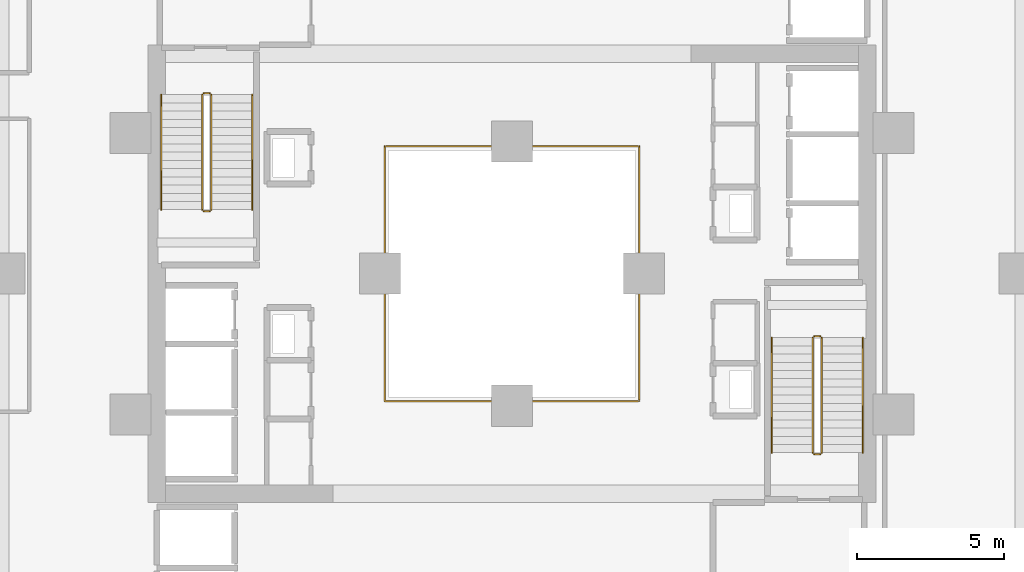
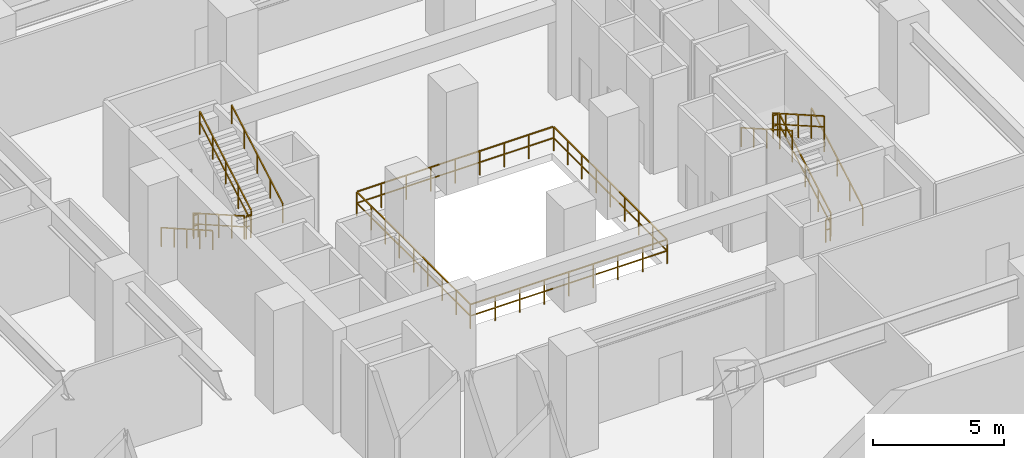
# One storey, part 22 of 22: 13 railings.
"""IFC4 building model written with IfcOpenShell, lengths in metres."""

import ifcopenshell
import ifcopenshell.guid

model = None  # the IFC model being written
_history = None  # IfcOwnerHistory: only IFC2X3 demands one
_inside = {}  # id of a spatial element -> (the spatial element, [elements in it])
_under = {}  # id of a project, library or spatial element -> (it, [spatial elements below it])
_declared = {}  # id of a project -> (the project, [libraries it declares])
_typed = {}  # id of a type object -> (the type object, [elements of that type])
_made_of = {}  # id of a material, layer set ... -> (it, [elements and type objects made of it])


def new_model(schema):
    """Start an empty IFC model of exactly this schema.

    Asked for "IFC4X3", IfcOpenShell would pick the latest addendum, in which some entities
    have other attributes; the version numbers below select the first issue.
    IFC2X3 requires an IfcOwnerHistory on every rooted entity: one is made here for all.
    """
    global model, _history
    if schema == "IFC4X3":
        model = ifcopenshell.file(schema_version=(4, 3, 0, 0))
    else:
        model = ifcopenshell.file(schema=schema)
    _inside.clear()
    _under.clear()
    _declared.clear()
    _typed.clear()
    _made_of.clear()
    _history = None
    if model.schema == "IFC2X3":
        org = make("IfcOrganization", Name="unknown")
        user = make(
            "IfcPersonAndOrganization",
            ThePerson=make("IfcPerson", FamilyName="unknown"),
            TheOrganization=org,
        )
        app = make(
            "IfcApplication",
            ApplicationDeveloper=org,
            Version="unknown",
            ApplicationFullName="unknown",
            ApplicationIdentifier="unknown",
        )
        _history = make(
            "IfcOwnerHistory",
            OwningUser=user,
            OwningApplication=app,
            ChangeAction="ADDED",
            CreationDate=0,
        )
    return model


def make(cls, **values):
    """One entity of the class cls with the attributes given. An attribute that is None is left unset."""
    return model.create_entity(
        cls, **{name: value for name, value in values.items() if value is not None}
    )


def rooted(cls, **values):
    """An entity with a GlobalId (a new one), such as an element, a storey or a relation."""
    return make(cls, GlobalId=ifcopenshell.guid.new(), OwnerHistory=_history, **values)


def si_unit(unit_type, name, prefix=None):
    """IfcSIUnit, for example si_unit("LENGTHUNIT", "METRE", prefix="MILLI")."""
    return make("IfcSIUnit", UnitType=unit_type, Prefix=prefix, Name=name)


def assignment(units):
    """IfcUnitAssignment: the units of a project."""
    return None if units is None else make("IfcUnitAssignment", Units=units)


def point(xyz):
    """IfcCartesianPoint."""
    return None if xyz is None else make("IfcCartesianPoint", Coordinates=xyz)


def direction(xyz):
    """IfcDirection."""
    return None if xyz is None else make("IfcDirection", DirectionRatios=xyz)


def frame(location, z_axis=None, x_axis=None):
    """IfcAxis2Placement3D, a coordinate frame: its origin and axes. An axis left out is left unset."""
    return make(
        "IfcAxis2Placement3D",
        Location=point(location),
        Axis=direction(z_axis),
        RefDirection=direction(x_axis),
    )


def frame_2d(location, x_axis=None):
    """IfcAxis2Placement2D, a coordinate frame in the plane: its origin and x axis."""
    return make(
        "IfcAxis2Placement2D", Location=point(location), RefDirection=direction(x_axis)
    )


def origin():
    """The frame at (0, 0, 0) with its axes left unset."""
    return frame((0.0, 0.0, 0.0))


def origin_2d():
    """The frame at (0, 0) in the plane with its x axis left unset."""
    return frame_2d((0.0, 0.0))


def place(relative_to, where):
    """IfcLocalPlacement: puts the frame where relative to a parent placement (None: the world)."""
    return make(
        "IfcLocalPlacement", PlacementRelTo=relative_to, RelativePlacement=where
    )


def context(
    kind, dimensions, precision=None, world=None, true_north=None, identifier=None
):
    """IfcGeometricRepresentationContext, for example the 3D "Model" context."""
    return make(
        "IfcGeometricRepresentationContext",
        ContextIdentifier=identifier,
        ContextType=kind,
        CoordinateSpaceDimension=dimensions,
        Precision=precision,
        WorldCoordinateSystem=world,
        TrueNorth=true_north,
    )


def subcontext(parent, identifier, kind, view, scale=None):
    """IfcGeometricRepresentationSubContext, for example "Body" below "Model"."""
    return make(
        "IfcGeometricRepresentationSubContext",
        ContextIdentifier=identifier,
        ContextType=kind,
        ParentContext=parent,
        TargetScale=scale,
        TargetView=view,
    )


def project(units=None, contexts=None):
    """IfcProject with its units and contexts."""
    return rooted(
        "IfcProject",
        Name="project",
        RepresentationContexts=contexts,
        UnitsInContext=assignment(units),
    )


def spatial(cls, under=None, at=None, **own):
    """A site, building, storey or space (cls), placed at a placement, below another one or the project."""
    s = rooted(cls, ObjectPlacement=at, **own)
    if under is not None:
        _under.setdefault(under.id(), (under, []))[1].append(s)
    return s


def profile(cls, at=None, kind="AREA", **sizes):
    """A parametric profile (cls). Its sizes go by their IFC names, for example OverallWidth=200.0."""
    return make(cls, ProfileType=kind, Position=at, **sizes)


def rectangle(**sizes):
    """IfcRectangleProfileDef."""
    return profile("IfcRectangleProfileDef", **sizes)


def extrude(swept, where, along, depth):
    """IfcExtrudedAreaSolid: the profile swept, set in the frame where, extruded along a direction by depth."""
    return make(
        "IfcExtrudedAreaSolid",
        SweptArea=swept,
        Position=where,
        ExtrudedDirection=direction(along),
        Depth=depth,
    )


def shape(context_of_items, identifier, shape_type, items):
    """IfcShapeRepresentation: the items that make up one representation, for example the "Body"."""
    return make(
        "IfcShapeRepresentation",
        ContextOfItems=context_of_items,
        RepresentationIdentifier=identifier,
        RepresentationType=shape_type,
        Items=items,
    )


def material(Name=None, Category=None):
    """IfcMaterial."""
    return make("IfcMaterial", Name=Name, Category=Category)


def made_of(thing, what):
    """Note that an element or type object is made of a material, layer set ...; save() writes the relation."""
    if what is not None:
        _made_of.setdefault(what.id(), (what, []))[1].append(thing)
    return thing


def type_object(cls, material=None, **own):
    """A type object (cls), such as IfcWallType, which elements share."""
    return made_of(rooted(cls, **own), material)


def element(
    cls,
    number,
    at=None,
    inside=None,
    cuts=None,
    type_object=None,
    material=None,
    context=None,
    identifier="Body",
    shape_type=None,
    held_by="IfcProductDefinitionShape",
    body=None,
    shapes=None,
    **own,
):
    """One element of the class cls, such as IfcWall. Its Tag is "e" and its number.

    at: its placement. inside: the storey or other place that contains it. cuts: it is an
    opening in that element (IfcRelVoidsElement). A single representation is given by context,
    identifier, shape_type and body (its items); several are given by shapes. held_by: the class
    of the entity that holds the representations. save() writes the other relations.
    """
    e = rooted(cls, Tag="e%d" % number, ObjectPlacement=at, **own)
    if body is not None:
        shapes = [shape(context, identifier, shape_type, body)]
    if shapes is not None:
        e.Representation = make(held_by, Representations=shapes)
    if inside is not None:
        _inside.setdefault(inside.id(), (inside, []))[1].append(e)
    if cuts is not None:
        rooted(
            "IfcRelVoidsElement", RelatingBuildingElement=cuts, RelatedOpeningElement=e
        )
    if type_object is not None:
        _typed.setdefault(type_object.id(), (type_object, []))[1].append(e)
    return made_of(e, material)


def aggregate(whole, parts):
    """IfcRelAggregates: a whole, such as a stair, and the parts it consists of."""
    return rooted("IfcRelAggregates", RelatingObject=whole, RelatedObjects=parts)


def save(model, path):
    """Write the relations noted so far, then the file.

    IfcRelAggregates (storeys below a building ...), IfcRelContainedInSpatialStructure (elements
    in a storey), IfcRelDefinesByType, IfcRelAssociatesMaterial and IfcRelDeclares: one each for
    every whole, place, type object, material and project.
    """
    for whole, parts in _under.values():
        aggregate(whole, parts)
    for where, things in _inside.values():
        rooted(
            "IfcRelContainedInSpatialStructure",
            RelatedElements=things,
            RelatingStructure=where,
        )
    for kind, things in _typed.values():
        rooted("IfcRelDefinesByType", RelatedObjects=things, RelatingType=kind)
    for what, things in _made_of.values():
        rooted("IfcRelAssociatesMaterial", RelatedObjects=things, RelatingMaterial=what)
    for by, libraries in _declared.values():
        rooted("IfcRelDeclares", RelatingContext=by, RelatedDefinitions=libraries)
    model.write(path)


model = new_model("IFC4")

# Units and contexts
model_context = context("Model", 3, precision=1e-05, world=origin(), true_north=direction((0.0, 1.0)))
body_context = subcontext(model_context, "Body", "Model", "MODEL_VIEW")
ifc_project = project(units=[si_unit("LENGTHUNIT", "METRE"), si_unit("AREAUNIT", "SQUARE_METRE"), si_unit("VOLUMEUNIT", "CUBIC_METRE"), si_unit("PLANEANGLEUNIT", "RADIAN"), si_unit("MASSUNIT", "GRAM", prefix="KILO")], contexts=[model_context])

# Site, building, storey
site_placement = place(None, origin())
site = spatial("IfcSite", under=ifc_project, at=site_placement, CompositionType="ELEMENT")
building_placement = place(site_placement, origin())
building = spatial("IfcBuilding", under=site, at=building_placement, Name="Thornwick Lancets Civic Towers", CompositionType="ELEMENT")
storey_placement = place(building_placement, frame((0.0, 0.0, 4.800048828125)))
storey = spatial("IfcBuildingStorey", under=building, at=storey_placement, Name="L01", CompositionType="ELEMENT", Elevation=4.800048828125)

# Railings
ifc_material_1 = material(Name="Laminated glass and bronze steel S355", Category="steel")
railing_type_1 = type_object("IfcRailingType", Name="RAIL_ATRIUM_GUARD", PredefinedType="BALUSTRADE", material=ifc_material_1)
railing_1_placement = place(storey_placement, frame((84.159912109375, 22.659912109375, 0.0)))
element("IfcRailing", 1, at=railing_1_placement, inside=storey, type_object=railing_type_1, Name="L01 Tower B Central Atrium Guard Balustrade", PredefinedType="BALUSTRADE", context=body_context, shape_type="SweptSolid", body=[
    extrude(rectangle(XDim=0.048095703125, YDim=0.048095703125, at=origin_2d()), frame((0.0, 0.0, 1.1259765625), z_axis=(1.0, 0.0, 0.0), x_axis=(0.0, 1.0, 0.0)), (0.0, 0.0, 1.0), 8.64892578125),
    extrude(rectangle(XDim=0.0419921875, YDim=0.0419921875, at=origin_2d()), frame((0.03759765625, 0.0, 0.597900390625), z_axis=(1.0, 0.0, 0.0), x_axis=(0.0, 1.0, 0.0)), (0.0, 0.0, 1.0), 1.010009765625),
    extrude(rectangle(XDim=0.0419921875, YDim=0.0419921875, at=origin_2d()), frame((1.12255859375, 0.0, 0.597900390625), z_axis=(1.0, 0.0, 0.0), x_axis=(0.0, 1.0, 0.0)), (0.0, 0.0, 1.0), 1.010009765625),
    extrude(rectangle(XDim=0.0419921875, YDim=0.0419921875, at=origin_2d()), frame((2.20751953125, 0.0, 0.597900390625), z_axis=(1.0, 0.0, 0.0), x_axis=(0.0, 1.0, 0.0)), (0.0, 0.0, 1.0), 1.010009765625),
    extrude(rectangle(XDim=0.0419921875, YDim=0.0419921875, at=origin_2d()), frame((3.29248046875, 0.0, 0.597900390625), z_axis=(1.0, 0.0, 0.0), x_axis=(0.0, 1.0, 0.0)), (0.0, 0.0, 1.0), 1.010009765625),
    extrude(rectangle(XDim=0.0419921875, YDim=0.0419921875, at=origin_2d()), frame((4.377685546875, 0.0, 0.597900390625), z_axis=(1.0, 0.0, 0.0), x_axis=(0.0, 1.0, 0.0)), (0.0, 0.0, 1.0), 1.010009765625),
    extrude(rectangle(XDim=0.0419921875, YDim=0.0419921875, at=origin_2d()), frame((5.462646484375, 0.0, 0.597900390625), z_axis=(1.0, 0.0, 0.0), x_axis=(0.0, 1.0, 0.0)), (0.0, 0.0, 1.0), 1.010009765625),
    extrude(rectangle(XDim=0.0419921875, YDim=0.0419921875, at=origin_2d()), frame((6.547607421875, 0.0, 0.597900390625), z_axis=(1.0, 0.0, 0.0), x_axis=(0.0, 1.0, 0.0)), (0.0, 0.0, 1.0), 1.010009765625),
    extrude(rectangle(XDim=0.0419921875, YDim=0.0419921875, at=origin_2d()), frame((7.632568359375, 0.0, 0.597900390625), z_axis=(1.0, 0.0, 0.0), x_axis=(0.0, 1.0, 0.0)), (0.0, 0.0, 1.0), 1.010009765625),
    extrude(rectangle(XDim=0.048095703125, YDim=0.048095703125, at=origin_2d()), frame((8.68017578125, 0.03125, 1.1259765625), z_axis=(0.0, 1.0, 0.0), x_axis=(-1.0, 0.0, 0.0)), (0.0, 0.0, 1.0), 8.61767578125),
    extrude(rectangle(XDim=0.0419921875, YDim=0.0419921875, at=origin_2d()), frame((8.68017578125, 0.03759765625, 0.597900390625), z_axis=(0.0, 1.0, 0.0), x_axis=(-1.0, 0.0, 0.0)), (0.0, 0.0, 1.0), 1.010009765625),
    extrude(rectangle(XDim=0.0419921875, YDim=0.0419921875, at=origin_2d()), frame((8.68017578125, 1.12255859375, 0.597900390625), z_axis=(0.0, 1.0, 0.0), x_axis=(-1.0, 0.0, 0.0)), (0.0, 0.0, 1.0), 1.010009765625),
    extrude(rectangle(XDim=0.0419921875, YDim=0.0419921875, at=origin_2d()), frame((8.68017578125, 2.20751953125, 0.597900390625), z_axis=(0.0, 1.0, 0.0), x_axis=(-1.0, 0.0, 0.0)), (0.0, 0.0, 1.0), 1.010009765625),
    extrude(rectangle(XDim=0.0419921875, YDim=0.0419921875, at=origin_2d()), frame((8.68017578125, 3.29248046875, 0.597900390625), z_axis=(0.0, 1.0, 0.0), x_axis=(-1.0, 0.0, 0.0)), (0.0, 0.0, 1.0), 1.010009765625),
    extrude(rectangle(XDim=0.0419921875, YDim=0.0419921875, at=origin_2d()), frame((8.68017578125, 4.377685546875, 0.597900390625), z_axis=(0.0, 1.0, 0.0), x_axis=(-1.0, 0.0, 0.0)), (0.0, 0.0, 1.0), 1.010009765625),
    extrude(rectangle(XDim=0.0419921875, YDim=0.0419921875, at=origin_2d()), frame((8.68017578125, 5.462646484375, 0.597900390625), z_axis=(0.0, 1.0, 0.0), x_axis=(-1.0, 0.0, 0.0)), (0.0, 0.0, 1.0), 1.010009765625),
    extrude(rectangle(XDim=0.0419921875, YDim=0.0419921875, at=origin_2d()), frame((8.68017578125, 6.547607421875, 0.597900390625), z_axis=(0.0, 1.0, 0.0), x_axis=(-1.0, 0.0, 0.0)), (0.0, 0.0, 1.0), 1.010009765625),
    extrude(rectangle(XDim=0.0419921875, YDim=0.0419921875, at=origin_2d()), frame((8.68017578125, 7.632568359375, 0.597900390625), z_axis=(0.0, 1.0, 0.0), x_axis=(-1.0, 0.0, 0.0)), (0.0, 0.0, 1.0), 1.010009765625),
    extrude(rectangle(XDim=0.048095703125, YDim=0.048095703125, at=origin_2d()), frame((8.64892578125, 8.68017578125, 1.1259765625), z_axis=(-1.0, 0.0, 0.0), x_axis=(0.0, -1.0, 0.0)), (0.0, 0.0, 1.0), 8.61767578125),
    extrude(rectangle(XDim=0.0419921875, YDim=0.0419921875, at=origin_2d()), frame((8.642578125, 8.68017578125, 0.597900390625), z_axis=(-1.0, 0.0, 0.0), x_axis=(0.0, -1.0, 0.0)), (0.0, 0.0, 1.0), 1.010009765625),
    extrude(rectangle(XDim=0.0419921875, YDim=0.0419921875, at=origin_2d()), frame((7.5576171875, 8.68017578125, 0.597900390625), z_axis=(-1.0, 0.0, 0.0), x_axis=(0.0, -1.0, 0.0)), (0.0, 0.0, 1.0), 1.010009765625),
    extrude(rectangle(XDim=0.0419921875, YDim=0.0419921875, at=origin_2d()), frame((6.47265625, 8.68017578125, 0.597900390625), z_axis=(-1.0, 0.0, 0.0), x_axis=(0.0, -1.0, 0.0)), (0.0, 0.0, 1.0), 1.010009765625),
    extrude(rectangle(XDim=0.0419921875, YDim=0.0419921875, at=origin_2d()), frame((5.3876953125, 8.68017578125, 0.597900390625), z_axis=(-1.0, 0.0, 0.0), x_axis=(0.0, -1.0, 0.0)), (0.0, 0.0, 1.0), 1.010009765625),
    extrude(rectangle(XDim=0.0419921875, YDim=0.0419921875, at=origin_2d()), frame((4.302490234375, 8.68017578125, 0.597900390625), z_axis=(-1.0, 0.0, 0.0), x_axis=(0.0, -1.0, 0.0)), (0.0, 0.0, 1.0), 1.010009765625),
    extrude(rectangle(XDim=0.0419921875, YDim=0.0419921875, at=origin_2d()), frame((3.217529296875, 8.68017578125, 0.597900390625), z_axis=(-1.0, 0.0, 0.0), x_axis=(0.0, -1.0, 0.0)), (0.0, 0.0, 1.0), 1.010009765625),
    extrude(rectangle(XDim=0.0419921875, YDim=0.0419921875, at=origin_2d()), frame((2.132568359375, 8.68017578125, 0.597900390625), z_axis=(-1.0, 0.0, 0.0), x_axis=(0.0, -1.0, 0.0)), (0.0, 0.0, 1.0), 1.010009765625),
    extrude(rectangle(XDim=0.0419921875, YDim=0.0419921875, at=origin_2d()), frame((1.047607421875, 8.68017578125, 0.597900390625), z_axis=(-1.0, 0.0, 0.0), x_axis=(0.0, -1.0, 0.0)), (0.0, 0.0, 1.0), 1.010009765625),
    extrude(rectangle(XDim=0.048095703125, YDim=0.048095703125, at=origin_2d()), frame((0.0, 8.64892578125, 1.1259765625), z_axis=(0.0, -1.0, 0.0), x_axis=(1.0, 0.0, 0.0)), (0.0, 0.0, 1.0), 8.64892578125),
    extrude(rectangle(XDim=0.0419921875, YDim=0.0419921875, at=origin_2d()), frame((0.0, 8.642578125, 0.597900390625), z_axis=(0.0, -1.0, 0.0), x_axis=(1.0, 0.0, 0.0)), (0.0, 0.0, 1.0), 1.010009765625),
    extrude(rectangle(XDim=0.0419921875, YDim=0.0419921875, at=origin_2d()), frame((0.0, 7.5576171875, 0.597900390625), z_axis=(0.0, -1.0, 0.0), x_axis=(1.0, 0.0, 0.0)), (0.0, 0.0, 1.0), 1.010009765625),
    extrude(rectangle(XDim=0.0419921875, YDim=0.0419921875, at=origin_2d()), frame((0.0, 6.47265625, 0.597900390625), z_axis=(0.0, -1.0, 0.0), x_axis=(1.0, 0.0, 0.0)), (0.0, 0.0, 1.0), 1.010009765625),
    extrude(rectangle(XDim=0.0419921875, YDim=0.0419921875, at=origin_2d()), frame((0.0, 5.3876953125, 0.597900390625), z_axis=(0.0, -1.0, 0.0), x_axis=(1.0, 0.0, 0.0)), (0.0, 0.0, 1.0), 1.010009765625),
    extrude(rectangle(XDim=0.0419921875, YDim=0.0419921875, at=origin_2d()), frame((0.0, 4.302490234375, 0.597900390625), z_axis=(0.0, -1.0, 0.0), x_axis=(1.0, 0.0, 0.0)), (0.0, 0.0, 1.0), 1.010009765625),
    extrude(rectangle(XDim=0.0419921875, YDim=0.0419921875, at=origin_2d()), frame((0.0, 3.217529296875, 0.597900390625), z_axis=(0.0, -1.0, 0.0), x_axis=(1.0, 0.0, 0.0)), (0.0, 0.0, 1.0), 1.010009765625),
    extrude(rectangle(XDim=0.0419921875, YDim=0.0419921875, at=origin_2d()), frame((0.0, 2.132568359375, 0.597900390625), z_axis=(0.0, -1.0, 0.0), x_axis=(1.0, 0.0, 0.0)), (0.0, 0.0, 1.0), 1.010009765625),
    extrude(rectangle(XDim=0.0419921875, YDim=0.0419921875, at=origin_2d()), frame((0.0, 1.047607421875, 0.597900390625), z_axis=(0.0, -1.0, 0.0), x_axis=(1.0, 0.0, 0.0)), (0.0, 0.0, 1.0), 1.010009765625),
    extrude(rectangle(XDim=0.0419921875, YDim=0.0419921875, at=origin_2d()), origin(), (0.0, 0.0, 1.0), 1.095703125),
    extrude(rectangle(XDim=0.0419921875, YDim=0.0419921875, at=origin_2d()), frame((1.0849609375, 0.0, 0.0)), (0.0, 0.0, 1.0), 1.095703125),
    extrude(rectangle(XDim=0.0419921875, YDim=0.0419921875, at=origin_2d()), frame((2.169921875, 0.0, 0.0)), (0.0, 0.0, 1.0), 1.095703125),
    extrude(rectangle(XDim=0.0419921875, YDim=0.0419921875, at=origin_2d()), frame((3.255126953125, 0.0, 0.0)), (0.0, 0.0, 1.0), 1.095703125),
    extrude(rectangle(XDim=0.0419921875, YDim=0.0419921875, at=origin_2d()), frame((4.340087890625, 0.0, 0.0)), (0.0, 0.0, 1.0), 1.095703125),
    extrude(rectangle(XDim=0.0419921875, YDim=0.0419921875, at=origin_2d()), frame((5.425048828125, 0.0, 0.0)), (0.0, 0.0, 1.0), 1.095703125),
    extrude(rectangle(XDim=0.0419921875, YDim=0.0419921875, at=origin_2d()), frame((6.51025390625, 0.0, 0.0)), (0.0, 0.0, 1.0), 1.095703125),
    extrude(rectangle(XDim=0.0419921875, YDim=0.0419921875, at=origin_2d()), frame((7.59521484375, 0.0, 0.0)), (0.0, 0.0, 1.0), 1.095703125),
    extrude(rectangle(XDim=0.0419921875, YDim=0.0419921875, at=origin_2d()), frame((8.68017578125, 0.0, 0.0)), (0.0, 0.0, 1.0), 1.095703125),
    extrude(rectangle(XDim=0.0419921875, YDim=0.0419921875, at=origin_2d()), frame((8.68017578125, 1.0849609375, 0.0)), (0.0, 0.0, 1.0), 1.095703125),
    extrude(rectangle(XDim=0.0419921875, YDim=0.0419921875, at=origin_2d()), frame((8.68017578125, 2.169921875, 0.0)), (0.0, 0.0, 1.0), 1.095703125),
    extrude(rectangle(XDim=0.0419921875, YDim=0.0419921875, at=origin_2d()), frame((8.68017578125, 3.255126953125, 0.0)), (0.0, 0.0, 1.0), 1.095703125),
    extrude(rectangle(XDim=0.0419921875, YDim=0.0419921875, at=origin_2d()), frame((8.68017578125, 4.340087890625, 0.0)), (0.0, 0.0, 1.0), 1.095703125),
    extrude(rectangle(XDim=0.0419921875, YDim=0.0419921875, at=origin_2d()), frame((8.68017578125, 5.425048828125, 0.0)), (0.0, 0.0, 1.0), 1.095703125),
    extrude(rectangle(XDim=0.0419921875, YDim=0.0419921875, at=origin_2d()), frame((8.68017578125, 6.51025390625, 0.0)), (0.0, 0.0, 1.0), 1.095703125),
    extrude(rectangle(XDim=0.0419921875, YDim=0.0419921875, at=origin_2d()), frame((8.68017578125, 7.59521484375, 0.0)), (0.0, 0.0, 1.0), 1.095703125),
    extrude(rectangle(XDim=0.0419921875, YDim=0.0419921875, at=origin_2d()), frame((8.68017578125, 8.68017578125, 0.0)), (0.0, 0.0, 1.0), 1.095703125),
    extrude(rectangle(XDim=0.0419921875, YDim=0.0419921875, at=origin_2d()), frame((7.59521484375, 8.68017578125, 0.0)), (0.0, 0.0, 1.0), 1.095703125),
    extrude(rectangle(XDim=0.0419921875, YDim=0.0419921875, at=origin_2d()), frame((6.51025390625, 8.68017578125, 0.0)), (0.0, 0.0, 1.0), 1.095703125),
    extrude(rectangle(XDim=0.0419921875, YDim=0.0419921875, at=origin_2d()), frame((5.425048828125, 8.68017578125, 0.0)), (0.0, 0.0, 1.0), 1.095703125),
    extrude(rectangle(XDim=0.0419921875, YDim=0.0419921875, at=origin_2d()), frame((4.340087890625, 8.68017578125, 0.0)), (0.0, 0.0, 1.0), 1.095703125),
    extrude(rectangle(XDim=0.0419921875, YDim=0.0419921875, at=origin_2d()), frame((3.255126953125, 8.68017578125, 0.0)), (0.0, 0.0, 1.0), 1.095703125),
    extrude(rectangle(XDim=0.0419921875, YDim=0.0419921875, at=origin_2d()), frame((2.169921875, 8.68017578125, 0.0)), (0.0, 0.0, 1.0), 1.095703125),
    extrude(rectangle(XDim=0.0419921875, YDim=0.0419921875, at=origin_2d()), frame((1.0849609375, 8.68017578125, 0.0)), (0.0, 0.0, 1.0), 1.095703125),
    extrude(rectangle(XDim=0.0419921875, YDim=0.0419921875, at=origin_2d()), frame((0.0, 8.68017578125, 0.0)), (0.0, 0.0, 1.0), 1.095703125),
    extrude(rectangle(XDim=0.0419921875, YDim=0.0419921875, at=origin_2d()), frame((0.0, 7.59521484375, 0.0)), (0.0, 0.0, 1.0), 1.095703125),
    extrude(rectangle(XDim=0.0419921875, YDim=0.0419921875, at=origin_2d()), frame((0.0, 6.51025390625, 0.0)), (0.0, 0.0, 1.0), 1.095703125),
    extrude(rectangle(XDim=0.0419921875, YDim=0.0419921875, at=origin_2d()), frame((0.0, 5.425048828125, 0.0)), (0.0, 0.0, 1.0), 1.095703125),
    extrude(rectangle(XDim=0.0419921875, YDim=0.0419921875, at=origin_2d()), frame((0.0, 4.340087890625, 0.0)), (0.0, 0.0, 1.0), 1.095703125),
    extrude(rectangle(XDim=0.0419921875, YDim=0.0419921875, at=origin_2d()), frame((0.0, 3.255126953125, 0.0)), (0.0, 0.0, 1.0), 1.095703125),
    extrude(rectangle(XDim=0.0419921875, YDim=0.0419921875, at=origin_2d()), frame((0.0, 2.169921875, 0.0)), (0.0, 0.0, 1.0), 1.095703125),
    extrude(rectangle(XDim=0.0419921875, YDim=0.0419921875, at=origin_2d()), frame((0.0, 1.0849609375, 0.0)), (0.0, 0.0, 1.0), 1.095703125),
])
ifc_material_2 = material(Name="Brushed stainless steel S355", Category="steel")
railing_type_2 = type_object("IfcRailingType", Name="RAIL_HANDRAIL", PredefinedType="HANDRAIL", material=ifc_material_2)
railing_2_placement = place(storey_placement, frame((100.449951171875, 20.89990234375, 0.159912109375)))
element("IfcRailing", 2, at=railing_2_placement, inside=storey, type_object=railing_type_2, Name="L01 ST-B1 stair handrail 1", PredefinedType="HANDRAIL", context=body_context, shape_type="SweptSolid", body=[
    extrude(rectangle(XDim=0.048095703125, YDim=0.048095703125, at=origin_2d()), frame((0.0, 0.0, 0.8857421875), z_axis=(0.0, 0.86825312469, 0.496121468458), x_axis=(-1.0, 0.0, 0.0)), (0.0, 0.0, 1.0), 4.514892578125),
    extrude(rectangle(XDim=0.0419921875, YDim=0.0419921875, at=origin_2d()), origin(), (0.0, 0.0, 1.0), 0.855712890625),
    extrude(rectangle(XDim=0.0419921875, YDim=0.0419921875, at=origin_2d()), frame((0.0, 0.97998046875, 0.56005859375)), (0.0, 0.0, 1.0), 0.855712890625),
    extrude(rectangle(XDim=0.0419921875, YDim=0.0419921875, at=origin_2d()), frame((0.0, 1.9599609375, 1.1201171875)), (0.0, 0.0, 1.0), 0.855712890625),
    extrude(rectangle(XDim=0.0419921875, YDim=0.0419921875, at=origin_2d()), frame((0.0, 2.940185546875, 1.679931640625)), (0.0, 0.0, 1.0), 0.855712890625),
    extrude(rectangle(XDim=0.0419921875, YDim=0.0419921875, at=origin_2d()), frame((0.0, 3.920166015625, 2.239990234375)), (0.0, 0.0, 1.0), 0.855712890625),
])
for number, where, name in (
    (3, (97.35009765625, 24.820068359375, 2.56005859375), "L01 ST-B1 stair handrail 2"),
    (4, (76.550048828125, 33.10009765625, 0.159912109375), "L01 ST-B2 stair handrail 1"),
):
    element("IfcRailing", number, at=place(storey_placement, frame(where)), inside=storey, type_object=railing_type_2, Name=name, PredefinedType="HANDRAIL", context=body_context, shape_type="SweptSolid", body=[
        extrude(rectangle(XDim=0.048095703125, YDim=0.048095703125, at=origin_2d()), frame((0.0, 0.0, 0.8857421875), z_axis=(0.0, -0.86825312469, 0.496121468458), x_axis=(1.0, 0.0, 0.0)), (0.0, 0.0, 1.0), 4.514892578125),
        extrude(rectangle(XDim=0.0419921875, YDim=0.0419921875, at=origin_2d()), origin(), (0.0, 0.0, 1.0), 0.855712890625),
        extrude(rectangle(XDim=0.0419921875, YDim=0.0419921875, at=origin_2d()), frame((0.0, -0.97998046875, 0.56005859375)), (0.0, 0.0, 1.0), 0.855712890625),
        extrude(rectangle(XDim=0.0419921875, YDim=0.0419921875, at=origin_2d()), frame((0.0, -1.9599609375, 1.1201171875)), (0.0, 0.0, 1.0), 0.855712890625),
        extrude(rectangle(XDim=0.0419921875, YDim=0.0419921875, at=origin_2d()), frame((0.0, -2.940185546875, 1.679931640625)), (0.0, 0.0, 1.0), 0.855712890625),
        extrude(rectangle(XDim=0.0419921875, YDim=0.0419921875, at=origin_2d()), frame((0.0, -3.920166015625, 2.239990234375)), (0.0, 0.0, 1.0), 0.855712890625),
    ])
railing_3_placement = place(storey_placement, frame((79.64990234375, 29.179931640625, 2.56005859375)))
element("IfcRailing", 5, at=railing_3_placement, inside=storey, type_object=railing_type_2, Name="L01 ST-B2 stair handrail 2", PredefinedType="HANDRAIL", context=body_context, shape_type="SweptSolid", body=[
    extrude(rectangle(XDim=0.048095703125, YDim=0.048095703125, at=origin_2d()), frame((0.0, 0.0, 0.8857421875), z_axis=(0.0, 0.86825312469, 0.496121468458), x_axis=(-1.0, 0.0, 0.0)), (0.0, 0.0, 1.0), 4.514892578125),
    extrude(rectangle(XDim=0.0419921875, YDim=0.0419921875, at=origin_2d()), origin(), (0.0, 0.0, 1.0), 0.855712890625),
    extrude(rectangle(XDim=0.0419921875, YDim=0.0419921875, at=origin_2d()), frame((0.0, 0.97998046875, 0.56005859375)), (0.0, 0.0, 1.0), 0.855712890625),
    extrude(rectangle(XDim=0.0419921875, YDim=0.0419921875, at=origin_2d()), frame((0.0, 1.9599609375, 1.1201171875)), (0.0, 0.0, 1.0), 0.855712890625),
    extrude(rectangle(XDim=0.0419921875, YDim=0.0419921875, at=origin_2d()), frame((0.0, 2.940185546875, 1.679931640625)), (0.0, 0.0, 1.0), 0.855712890625),
    extrude(rectangle(XDim=0.0419921875, YDim=0.0419921875, at=origin_2d()), frame((0.0, 3.920166015625, 2.239990234375)), (0.0, 0.0, 1.0), 0.855712890625),
])
ifc_material_3 = material(Name="Steel S355JR", Category="steel")
railing_type_3 = type_object("IfcRailingType", Name="RAIL_STAIR_GUARD", PredefinedType="GUARDRAIL", material=ifc_material_3)
railing_4_placement = place(storey_placement, frame((99.050048828125, 20.89990234375, 0.159912109375)))
element("IfcRailing", 6, at=railing_4_placement, inside=storey, type_object=railing_type_3, Name="L01 ST-B1 stair guard 1", PredefinedType="GUARDRAIL", context=body_context, shape_type="SweptSolid", body=[
    extrude(rectangle(XDim=0.048095703125, YDim=0.048095703125, at=origin_2d()), frame((0.0, 0.0, 1.076171875), z_axis=(0.0, 0.86825312469, 0.496121468458), x_axis=(-1.0, 0.0, 0.0)), (0.0, 0.0, 1.0), 4.514892578125),
    extrude(rectangle(XDim=0.0419921875, YDim=0.0419921875, at=origin_2d()), frame((0.0, 0.032470703125, 0.590576171875), z_axis=(0.0, 0.86825312469, 0.496121468458), x_axis=(-1.0, 0.0, 0.0)), (0.0, 0.0, 1.0), 1.0537109375),
    extrude(rectangle(XDim=0.0419921875, YDim=0.0419921875, at=origin_2d()), frame((0.0, 1.0126953125, 1.150634765625), z_axis=(0.0, 0.86825312469, 0.496121468458), x_axis=(-1.0, 0.0, 0.0)), (0.0, 0.0, 1.0), 1.0537109375),
    extrude(rectangle(XDim=0.0419921875, YDim=0.0419921875, at=origin_2d()), frame((0.0, 1.99267578125, 1.710693359375), z_axis=(0.0, 0.86825312469, 0.496121468458), x_axis=(-1.0, 0.0, 0.0)), (0.0, 0.0, 1.0), 1.0537109375),
    extrude(rectangle(XDim=0.0419921875, YDim=0.0419921875, at=origin_2d()), frame((0.0, 2.97265625, 2.270751953125), z_axis=(0.0, 0.86825312469, 0.496121468458), x_axis=(-1.0, 0.0, 0.0)), (0.0, 0.0, 1.0), 1.0537109375),
    extrude(rectangle(XDim=0.0419921875, YDim=0.0419921875, at=origin_2d()), origin(), (0.0, 0.0, 1.0), 1.0458984375),
    extrude(rectangle(XDim=0.0419921875, YDim=0.0419921875, at=origin_2d()), frame((0.0, 0.97998046875, 0.56005859375)), (0.0, 0.0, 1.0), 1.0458984375),
    extrude(rectangle(XDim=0.0419921875, YDim=0.0419921875, at=origin_2d()), frame((0.0, 1.9599609375, 1.1201171875)), (0.0, 0.0, 1.0), 1.0458984375),
    extrude(rectangle(XDim=0.0419921875, YDim=0.0419921875, at=origin_2d()), frame((0.0, 2.940185546875, 1.679931640625)), (0.0, 0.0, 1.0), 1.0458984375),
    extrude(rectangle(XDim=0.0419921875, YDim=0.0419921875, at=origin_2d()), frame((0.0, 3.920166015625, 2.239990234375)), (0.0, 0.0, 1.0), 1.0458984375),
])
railing_5_placement = place(storey_placement, frame((99.0, 24.8701171875, 2.39990234375)))
element("IfcRailing", 7, at=railing_5_placement, inside=storey, type_object=railing_type_3, Name="L01 ST-B1 stair guard 2", PredefinedType="GUARDRAIL", context=body_context, shape_type="SweptSolid", body=[
    extrude(rectangle(XDim=0.048095703125, YDim=0.048095703125, at=origin_2d()), frame((0.0, 0.0, 1.076171875), z_axis=(-1.0, 0.0, 0.0), x_axis=(0.0, -1.0, 0.0)), (0.0, 0.0, 1.0), 0.199951171875),
    extrude(rectangle(XDim=0.0419921875, YDim=0.0419921875, at=origin_2d()), frame((-0.03759765625, 0.0, 0.572021484375), z_axis=(-1.0, 0.0, 0.0), x_axis=(0.0, -1.0, 0.0)), (0.0, 0.0, 1.0), 0.125),
    extrude(rectangle(XDim=0.0419921875, YDim=0.0419921875, at=origin_2d()), origin(), (0.0, 0.0, 1.0), 1.0458984375),
    extrude(rectangle(XDim=0.0419921875, YDim=0.0419921875, at=origin_2d()), frame((-0.199951171875, 0.0, 0.0)), (0.0, 0.0, 1.0), 1.0458984375),
])
railing_6_placement = place(storey_placement, frame((98.75, 24.820068359375, 2.56005859375)))
element("IfcRailing", 8, at=railing_6_placement, inside=storey, type_object=railing_type_3, Name="L01 ST-B1 stair guard 3", PredefinedType="GUARDRAIL", context=body_context, shape_type="SweptSolid", body=[
    extrude(rectangle(XDim=0.048095703125, YDim=0.048095703125, at=origin_2d()), frame((0.0, 0.0, 1.076171875), z_axis=(0.0, -0.86825312469, 0.496121468458), x_axis=(1.0, 0.0, 0.0)), (0.0, 0.0, 1.0), 4.514892578125),
    extrude(rectangle(XDim=0.0419921875, YDim=0.0419921875, at=origin_2d()), frame((0.0, -0.032470703125, 0.590576171875), z_axis=(0.0, -0.86825312469, 0.496121468458), x_axis=(1.0, 0.0, 0.0)), (0.0, 0.0, 1.0), 1.0537109375),
    extrude(rectangle(XDim=0.0419921875, YDim=0.0419921875, at=origin_2d()), frame((0.0, -1.0126953125, 1.150634765625), z_axis=(0.0, -0.86825312469, 0.496121468458), x_axis=(1.0, 0.0, 0.0)), (0.0, 0.0, 1.0), 1.0537109375),
    extrude(rectangle(XDim=0.0419921875, YDim=0.0419921875, at=origin_2d()), frame((0.0, -1.99267578125, 1.710693359375), z_axis=(0.0, -0.86825312469, 0.496121468458), x_axis=(1.0, 0.0, 0.0)), (0.0, 0.0, 1.0), 1.0537109375),
    extrude(rectangle(XDim=0.0419921875, YDim=0.0419921875, at=origin_2d()), frame((0.0, -2.97265625, 2.270751953125), z_axis=(0.0, -0.86825312469, 0.496121468458), x_axis=(1.0, 0.0, 0.0)), (0.0, 0.0, 1.0), 1.0537109375),
    extrude(rectangle(XDim=0.0419921875, YDim=0.0419921875, at=origin_2d()), origin(), (0.0, 0.0, 1.0), 1.0458984375),
    extrude(rectangle(XDim=0.0419921875, YDim=0.0419921875, at=origin_2d()), frame((0.0, -0.97998046875, 0.56005859375)), (0.0, 0.0, 1.0), 1.0458984375),
    extrude(rectangle(XDim=0.0419921875, YDim=0.0419921875, at=origin_2d()), frame((0.0, -1.9599609375, 1.1201171875)), (0.0, 0.0, 1.0), 1.0458984375),
    extrude(rectangle(XDim=0.0419921875, YDim=0.0419921875, at=origin_2d()), frame((0.0, -2.940185546875, 1.679931640625)), (0.0, 0.0, 1.0), 1.0458984375),
    extrude(rectangle(XDim=0.0419921875, YDim=0.0419921875, at=origin_2d()), frame((0.0, -3.920166015625, 2.239990234375)), (0.0, 0.0, 1.0), 1.0458984375),
])
railing_7_placement = place(storey_placement, frame((99.0, 20.85009765625, 0.0)))
element("IfcRailing", 9, at=railing_7_placement, inside=storey, type_object=railing_type_3, Name="L01 ST-B1 stair guard 4", PredefinedType="GUARDRAIL", context=body_context, shape_type="SweptSolid", body=[
    extrude(rectangle(XDim=0.048095703125, YDim=0.048095703125, at=origin_2d()), frame((0.0, 0.0, 1.076171875), z_axis=(-1.0, 0.0, 0.0), x_axis=(0.0, -1.0, 0.0)), (0.0, 0.0, 1.0), 0.199951171875),
    extrude(rectangle(XDim=0.0419921875, YDim=0.0419921875, at=origin_2d()), frame((-0.03759765625, 0.0, 0.572021484375), z_axis=(-1.0, 0.0, 0.0), x_axis=(0.0, -1.0, 0.0)), (0.0, 0.0, 1.0), 0.125),
    extrude(rectangle(XDim=0.0419921875, YDim=0.0419921875, at=origin_2d()), origin(), (0.0, 0.0, 1.0), 1.0458984375),
    extrude(rectangle(XDim=0.0419921875, YDim=0.0419921875, at=origin_2d()), frame((-0.199951171875, 0.0, 0.0)), (0.0, 0.0, 1.0), 1.0458984375),
])
railing_8_placement = place(storey_placement, frame((77.949951171875, 33.10009765625, 0.159912109375)))
element("IfcRailing", 10, at=railing_8_placement, inside=storey, type_object=railing_type_3, Name="L01 ST-B2 stair guard 1", PredefinedType="GUARDRAIL", context=body_context, shape_type="SweptSolid", body=[
    extrude(rectangle(XDim=0.048095703125, YDim=0.048095703125, at=origin_2d()), frame((0.0, 0.0, 1.076171875), z_axis=(0.0, -0.86825312469, 0.496121468458), x_axis=(1.0, 0.0, 0.0)), (0.0, 0.0, 1.0), 4.514892578125),
    extrude(rectangle(XDim=0.0419921875, YDim=0.0419921875, at=origin_2d()), frame((0.0, -0.032470703125, 0.590576171875), z_axis=(0.0, -0.86825312469, 0.496121468458), x_axis=(1.0, 0.0, 0.0)), (0.0, 0.0, 1.0), 1.0537109375),
    extrude(rectangle(XDim=0.0419921875, YDim=0.0419921875, at=origin_2d()), frame((0.0, -1.0126953125, 1.150634765625), z_axis=(0.0, -0.86825312469, 0.496121468458), x_axis=(1.0, 0.0, 0.0)), (0.0, 0.0, 1.0), 1.0537109375),
    extrude(rectangle(XDim=0.0419921875, YDim=0.0419921875, at=origin_2d()), frame((0.0, -1.99267578125, 1.710693359375), z_axis=(0.0, -0.86825312469, 0.496121468458), x_axis=(1.0, 0.0, 0.0)), (0.0, 0.0, 1.0), 1.0537109375),
    extrude(rectangle(XDim=0.0419921875, YDim=0.0419921875, at=origin_2d()), frame((0.0, -2.97265625, 2.270751953125), z_axis=(0.0, -0.86825312469, 0.496121468458), x_axis=(1.0, 0.0, 0.0)), (0.0, 0.0, 1.0), 1.0537109375),
    extrude(rectangle(XDim=0.0419921875, YDim=0.0419921875, at=origin_2d()), origin(), (0.0, 0.0, 1.0), 1.0458984375),
    extrude(rectangle(XDim=0.0419921875, YDim=0.0419921875, at=origin_2d()), frame((0.0, -0.97998046875, 0.56005859375)), (0.0, 0.0, 1.0), 1.0458984375),
    extrude(rectangle(XDim=0.0419921875, YDim=0.0419921875, at=origin_2d()), frame((0.0, -1.9599609375, 1.1201171875)), (0.0, 0.0, 1.0), 1.0458984375),
    extrude(rectangle(XDim=0.0419921875, YDim=0.0419921875, at=origin_2d()), frame((0.0, -2.940185546875, 1.679931640625)), (0.0, 0.0, 1.0), 1.0458984375),
    extrude(rectangle(XDim=0.0419921875, YDim=0.0419921875, at=origin_2d()), frame((0.0, -3.920166015625, 2.239990234375)), (0.0, 0.0, 1.0), 1.0458984375),
])
railing_9_placement = place(storey_placement, frame((78.0, 29.1298828125, 2.39990234375)))
element("IfcRailing", 11, at=railing_9_placement, inside=storey, type_object=railing_type_3, Name="L01 ST-B2 stair guard 2", PredefinedType="GUARDRAIL", context=body_context, shape_type="SweptSolid", body=[
    extrude(rectangle(XDim=0.048095703125, YDim=0.048095703125, at=origin_2d()), frame((0.0, 0.0, 1.076171875), z_axis=(1.0, 0.0, 0.0), x_axis=(0.0, 1.0, 0.0)), (0.0, 0.0, 1.0), 0.199951171875),
    extrude(rectangle(XDim=0.0419921875, YDim=0.0419921875, at=origin_2d()), frame((0.03759765625, 0.0, 0.572021484375), z_axis=(1.0, 0.0, 0.0), x_axis=(0.0, 1.0, 0.0)), (0.0, 0.0, 1.0), 0.125),
    extrude(rectangle(XDim=0.0419921875, YDim=0.0419921875, at=origin_2d()), origin(), (0.0, 0.0, 1.0), 1.0458984375),
    extrude(rectangle(XDim=0.0419921875, YDim=0.0419921875, at=origin_2d()), frame((0.199951171875, 0.0, 0.0)), (0.0, 0.0, 1.0), 1.0458984375),
])
railing_10_placement = place(storey_placement, frame((78.25, 29.179931640625, 2.56005859375)))
element("IfcRailing", 12, at=railing_10_placement, inside=storey, type_object=railing_type_3, Name="L01 ST-B2 stair guard 3", PredefinedType="GUARDRAIL", context=body_context, shape_type="SweptSolid", body=[
    extrude(rectangle(XDim=0.048095703125, YDim=0.048095703125, at=origin_2d()), frame((0.0, 0.0, 1.076171875), z_axis=(0.0, 0.86825312469, 0.496121468458), x_axis=(-1.0, 0.0, 0.0)), (0.0, 0.0, 1.0), 4.514892578125),
    extrude(rectangle(XDim=0.0419921875, YDim=0.0419921875, at=origin_2d()), frame((0.0, 0.032470703125, 0.590576171875), z_axis=(0.0, 0.86825312469, 0.496121468458), x_axis=(-1.0, 0.0, 0.0)), (0.0, 0.0, 1.0), 1.0537109375),
    extrude(rectangle(XDim=0.0419921875, YDim=0.0419921875, at=origin_2d()), frame((0.0, 1.0126953125, 1.150634765625), z_axis=(0.0, 0.86825312469, 0.496121468458), x_axis=(-1.0, 0.0, 0.0)), (0.0, 0.0, 1.0), 1.0537109375),
    extrude(rectangle(XDim=0.0419921875, YDim=0.0419921875, at=origin_2d()), frame((0.0, 1.99267578125, 1.710693359375), z_axis=(0.0, 0.86825312469, 0.496121468458), x_axis=(-1.0, 0.0, 0.0)), (0.0, 0.0, 1.0), 1.0537109375),
    extrude(rectangle(XDim=0.0419921875, YDim=0.0419921875, at=origin_2d()), frame((0.0, 2.97265625, 2.270751953125), z_axis=(0.0, 0.86825312469, 0.496121468458), x_axis=(-1.0, 0.0, 0.0)), (0.0, 0.0, 1.0), 1.0537109375),
    extrude(rectangle(XDim=0.0419921875, YDim=0.0419921875, at=origin_2d()), origin(), (0.0, 0.0, 1.0), 1.0458984375),
    extrude(rectangle(XDim=0.0419921875, YDim=0.0419921875, at=origin_2d()), frame((0.0, 0.97998046875, 0.56005859375)), (0.0, 0.0, 1.0), 1.0458984375),
    extrude(rectangle(XDim=0.0419921875, YDim=0.0419921875, at=origin_2d()), frame((0.0, 1.9599609375, 1.1201171875)), (0.0, 0.0, 1.0), 1.0458984375),
    extrude(rectangle(XDim=0.0419921875, YDim=0.0419921875, at=origin_2d()), frame((0.0, 2.940185546875, 1.679931640625)), (0.0, 0.0, 1.0), 1.0458984375),
    extrude(rectangle(XDim=0.0419921875, YDim=0.0419921875, at=origin_2d()), frame((0.0, 3.920166015625, 2.239990234375)), (0.0, 0.0, 1.0), 1.0458984375),
])
railing_11_placement = place(storey_placement, frame((78.0, 33.14990234375, 0.0)))
element("IfcRailing", 13, at=railing_11_placement, inside=storey, type_object=railing_type_3, Name="L01 ST-B2 stair guard 4", PredefinedType="GUARDRAIL", context=body_context, shape_type="SweptSolid", body=[
    extrude(rectangle(XDim=0.048095703125, YDim=0.048095703125, at=origin_2d()), frame((0.0, 0.0, 1.076171875), z_axis=(1.0, 0.0, 0.0), x_axis=(0.0, 1.0, 0.0)), (0.0, 0.0, 1.0), 0.199951171875),
    extrude(rectangle(XDim=0.0419921875, YDim=0.0419921875, at=origin_2d()), frame((0.03759765625, 0.0, 0.572021484375), z_axis=(1.0, 0.0, 0.0), x_axis=(0.0, 1.0, 0.0)), (0.0, 0.0, 1.0), 0.125),
    extrude(rectangle(XDim=0.0419921875, YDim=0.0419921875, at=origin_2d()), origin(), (0.0, 0.0, 1.0), 1.0458984375),
    extrude(rectangle(XDim=0.0419921875, YDim=0.0419921875, at=origin_2d()), frame((0.199951171875, 0.0, 0.0)), (0.0, 0.0, 1.0), 1.0458984375),
])

save(model, "model.ifc")
